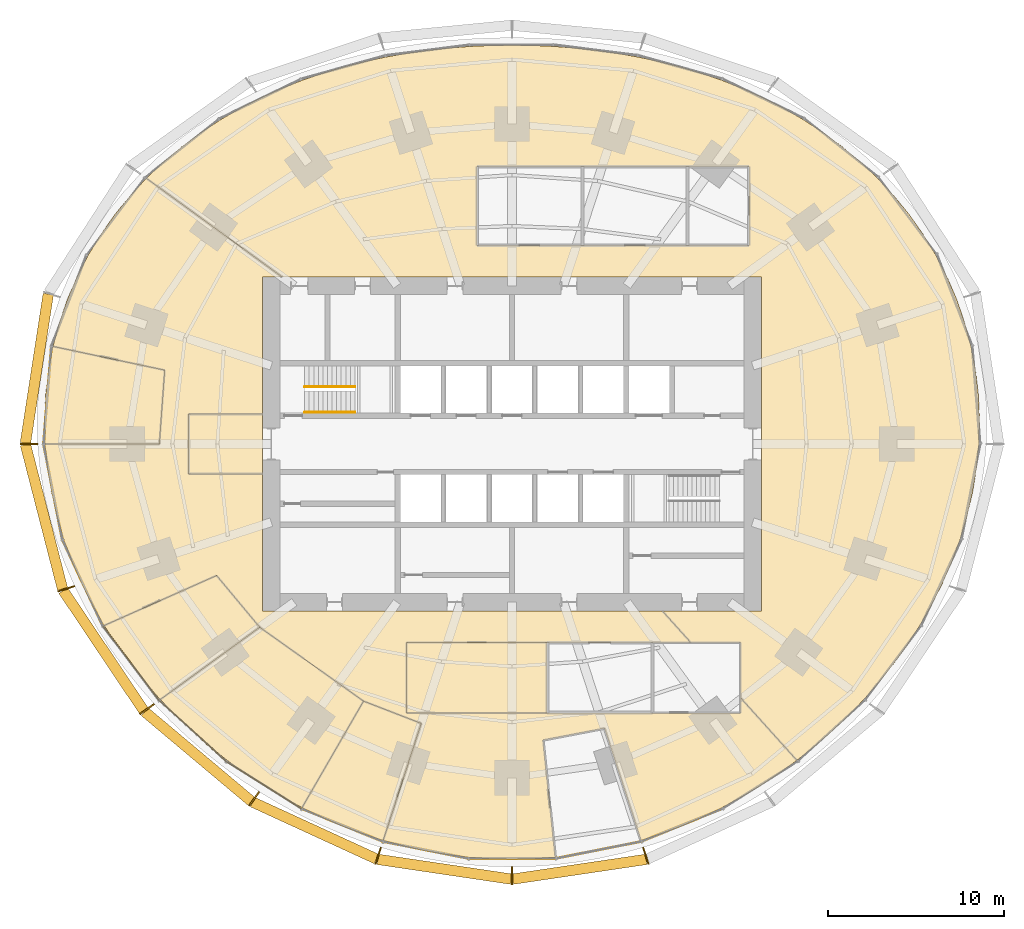
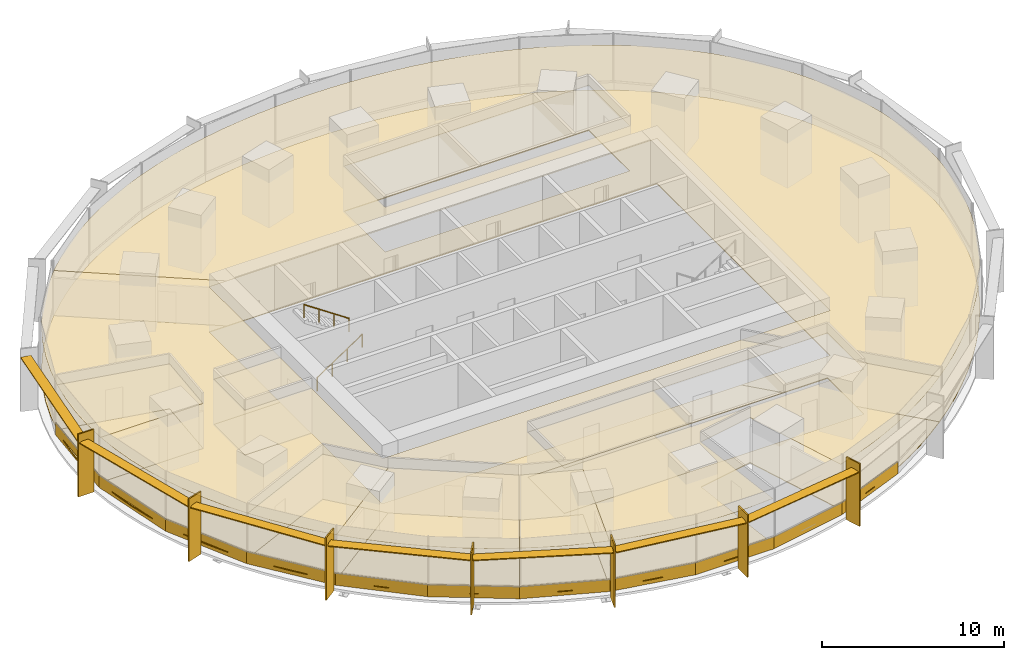
# One storey, part 14 of 15: 27 coverings, 14 shading devices, 2 railings.
"""IFC4 building model written with IfcOpenShell, lengths in metres."""

from ifc_helpers import new_model, si_unit, direction, frame, origin, origin_2d, place, context, subcontext, project, spatial, polyline, rectangle, circle, outline, extrude, material, layer, layer_set, type_object, element, save


model = new_model("IFC4")

# Units and contexts
model_context = context("Model", 3, precision=1e-05, world=origin(), true_north=direction((0.0, 1.0)))
body_context = subcontext(model_context, "Body", "Model", "MODEL_VIEW")
ifc_project = project(units=[si_unit("LENGTHUNIT", "METRE"), si_unit("AREAUNIT", "SQUARE_METRE"), si_unit("VOLUMEUNIT", "CUBIC_METRE"), si_unit("PLANEANGLEUNIT", "RADIAN"), si_unit("MASSUNIT", "GRAM", prefix="KILO")], contexts=[model_context])

# Site, building, storey
site_placement = place(None, origin())
site = spatial("IfcSite", under=ifc_project, at=site_placement, CompositionType="ELEMENT")
building_placement = place(site_placement, origin())
building = spatial("IfcBuilding", under=site, at=building_placement, Name="Marramba Exchange Tower", CompositionType="ELEMENT")
storey_placement = place(building_placement, frame((0.0, 0.0, 61.60009765625)))
storey = spatial("IfcBuildingStorey", under=building, at=storey_placement, Name="L14", CompositionType="ELEMENT", Elevation=61.60009765625)

# Shading devices
ifc_material_1 = material(Name="Aluminium blade, timber-look bronze finish", Category="wood")
ifc_layer_1 = layer(ifc_material_1, 0.080078125)
ifc_layer_set_1 = layer_set([ifc_layer_1], Name="Floor-edge blade 1000x80")
shading_device_type_1 = type_object("IfcShadingDeviceType", Name="Floor-edge blade 1000x80", PredefinedType="USERDEFINED", material=ifc_layer_set_1)
for number, where, z_axis, x_axis, name in (
    (1, (-27.5, 0.0, -0.16015625), (0.0, 0.0, 1.0), (-1.0, 0.0, 0.0), "Floor-edge blade FB1 L14 TC11"),
    (2, (-25.3740234375, -8.24462890625, -0.16015625), (0.0, 0.0, 1.0), (-0.951056516295, -0.309016994375, 0.0), "Floor-edge blade FB1 L14 TC12"),
    (3, (-20.773193359375, -15.092529296875, -0.16015625), (0.0, 0.0, 1.0), (-0.809016994375, -0.587785252292, 0.0), "Floor-edge blade FB1 L14 TC13"),
    (4, (-14.6787109375, -20.20361328125, -0.16015625), (0.0, 0.0, 1.0), (-0.587785252292, -0.809016994375, 0.0), "Floor-edge blade FB1 L14 TC14"),
    (5, (-7.61767578125, -23.444580078125, -0.16015625), (0.0, 0.0, 1.0), (-0.309016994375, -0.951056516295, 0.0), "Floor-edge blade FB1 L14 TC15"),
    (6, (0.0, -24.572021484375, -0.16015625), (0.0, 0.0, 1.0), (0.0, -1.0, 0.0), "Floor-edge blade FB1 L14 TC16"),
    (7, (7.61767578125, -23.444580078125, -0.16015625), (0.0, 0.0, 1.0), (0.309016994375, -0.951056516295, 0.0), "Floor-edge blade FB1 L14 TC17"),
):
    element("IfcShadingDevice", number, at=place(storey_placement, frame(where, z_axis=z_axis, x_axis=x_axis)), inside=storey, type_object=shading_device_type_1, Name=name, ObjectType="FIN", PredefinedType="USERDEFINED", context=body_context, shape_type="SweptSolid", body=[
        extrude(rectangle(XDim=1.0, YDim=0.080078125, at=origin_2d()), origin(), (0.0, 0.0, 1.0), 4.199951171875),
    ])

# Coverings
ifc_material_2 = material(Name="Steel raised access floor panels", Category="steel")
ifc_layer_2 = layer(ifc_material_2, 0.050048828125)
ifc_layer_set_2 = layer_set([ifc_layer_2], Name="Raised access floor 300")
covering_type_1 = type_object("IfcCoveringType", Name="Raised access floor 300", PredefinedType="FLOORING", material=ifc_layer_set_2)
covering_1_placement = place(storey_placement, frame((0.0, 0.0, 0.25)))
element("IfcCovering", 8, at=covering_1_placement, inside=storey, type_object=covering_type_1, Name="Raised access floor RAF1 L14 Fixed Income Trading Floor", PredefinedType="FLOORING", context=body_context, shape_type="SweptSolid", body=[
    extrude(outline(polyline([(14.199951171875, 9.5), (-13.07568359375, 9.5), (-20.810791015625, 15.119873046875), (-19.8251953125, 16.05419921875), (-18.791259765625, 16.919677734375), (-17.71630859375, 17.71630859375), (-16.60693359375, 18.44384765625), (-15.4697265625, 19.103759765625), (-14.31103515625, 19.697509765625), (-13.135986328125, 20.2275390625), (-11.94921875, 20.69677734375), (-10.755126953125, 21.10791015625), (-9.556640625, 21.464599609375), (-8.356689453125, 21.76953125), (-7.15673828125, 22.0263671875), (-5.95849609375, 22.23779296875), (-4.7626953125, 22.406982421875), (-3.5693359375, 22.535888671875), (-2.378173828125, 22.62646484375), (-1.188720703125, 22.68017578125), (0.0, 22.697998046875), (1.188720703125, 22.68017578125), (2.378173828125, 22.62646484375), (3.5693359375, 22.535888671875), (4.7626953125, 22.406982421875), (5.95849609375, 22.23779296875), (7.15673828125, 22.0263671875), (8.356689453125, 21.76953125), (9.556640625, 21.464599609375), (10.755126953125, 21.10791015625), (11.94921875, 20.69677734375), (13.135986328125, 20.2275390625), (14.31103515625, 19.697509765625), (15.4697265625, 19.103759765625), (16.60693359375, 18.44384765625), (17.71630859375, 17.71630859375), (18.791259765625, 16.919677734375), (19.8251953125, 16.05419921875), (20.810791015625, 15.119873046875), (21.740478515625, 14.118408203125), (22.607177734375, 13.05224609375), (23.40380859375, 11.9248046875), (24.12353515625, 10.740478515625), (24.76025390625, 9.50439453125), (25.30859375, 8.22314453125), (25.763916015625, 6.9033203125), (26.123291015625, 5.552734375), (26.3837890625, 4.1787109375), (26.544921875, 2.7900390625), (26.6064453125, 1.394287109375), (26.570068359375, 0.0), (26.43798828125, -1.385498046875), (26.213623046875, -2.755126953125), (25.9013671875, -4.102294921875), (25.50634765625, -5.421630859375), (25.033935546875, -6.707763671875), (24.489501953125, -7.95703125), (23.879150390625, -9.166259765625), (23.208251953125, -10.3330078125), (22.482177734375, -11.455322265625), (21.7060546875, -12.531982421875), (20.88427734375, -13.5625), (20.020751953125, -14.5458984375), (19.119384765625, -15.482421875), (18.1826171875, -16.371826171875), (17.213623046875, -17.213623046875), (16.21435546875, -18.0078125), (13.0, -14.43798828125), (13.0, -11.300048828125), (10.174560546875, -11.300048828125), (8.5537109375, -9.5), (14.199951171875, -9.5), (14.199951171875, 9.5)]), holes=[polyline([(-2.0, 11.300048828125), (4.0, 11.300048828125), (10.0, 11.300048828125), (13.5, 11.300048828125), (13.5, 15.800048828125), (10.0, 15.800048828125), (4.0, 15.800048828125), (-2.0, 15.800048828125), (-2.0, 11.300048828125)])]), origin(), (0.0, 0.0, 1.0), 0.0498046875),
])
covering_2_placement = place(storey_placement, frame((0.0, 0.0, 0.25)))
element("IfcCovering", 9, at=covering_2_placement, inside=storey, type_object=covering_type_1, Name="Raised access floor RAF1 L14 Research Office", PredefinedType="FLOORING", context=body_context, shape_type="SweptSolid", body=[
    extrude(outline(polyline([(-14.199951171875, 1.699951171875), (-18.39990234375, 1.699951171875), (-18.39990234375, -1.699951171875), (-14.199951171875, -1.699951171875), (-14.199951171875, -9.5), (8.5537109375, -9.5), (10.174560546875, -11.300048828125), (8.0, -11.300048828125), (2.0, -11.300048828125), (-6.0, -11.300048828125), (-6.0, -15.300048828125), (2.0, -15.300048828125), (8.0, -15.300048828125), (13.0, -15.300048828125), (13.0, -14.43798828125), (15.483642578125, -17.1962890625), (16.21435546875, -18.0078125), (15.1865234375, -18.75390625), (14.132080078125, -19.451171875), (13.052490234375, -20.09912109375), (11.94921875, -20.69677734375), (10.82373046875, -21.242919921875), (9.677734375, -21.736328125), (8.512451171875, -22.17578125), (7.330078125, -22.56005859375), (5.259765625, -16.18798828125), (1.771728515625, -16.857177734375), (2.47216796875, -23.5205078125), (1.2373046875, -23.611572265625), (0.0, -23.64208984375), (-1.2373046875, -23.611572265625), (-2.47216796875, -23.5205078125), (-3.701416015625, -23.368896484375), (-4.92236328125, -23.15771484375), (-6.1328125, -22.8876953125), (-7.330078125, -22.56005859375), (-5.1669921875, -15.902587890625), (-8.44921875, -14.634521484375), (-14.357666015625, -10.431396484375), (-16.8134765625, -7.48583984375), (-23.208251953125, -10.3330078125), (-23.879150390625, -9.166259765625), (-24.489501953125, -7.95703125), (-25.033935546875, -6.707763671875), (-25.50634765625, -5.421630859375), (-25.9013671875, -4.102294921875), (-26.213623046875, -2.755126953125), (-26.43798828125, -1.385498046875), (-26.570068359375, 0.0), (-20.070068359375, 0.0), (-19.765380859375, 4.201171875), (-26.123291015625, 5.552734375), (-25.763916015625, 6.9033203125), (-25.30859375, 8.22314453125), (-24.76025390625, 9.50439453125), (-24.12353515625, 10.740478515625), (-23.40380859375, 11.9248046875), (-22.607177734375, 13.05224609375), (-21.740478515625, 14.118408203125), (-20.810791015625, 15.119873046875), (-15.08203125, 10.957763671875), (-13.07568359375, 9.5), (-14.199951171875, 9.5), (-14.199951171875, 1.699951171875)])), origin(), (0.0, 0.0, 1.0), 0.0498046875),
])
covering_3_placement = place(storey_placement, frame((0.0, 0.0, 0.25)))
element("IfcCovering", 10, at=covering_3_placement, inside=storey, type_object=covering_type_1, Name="Raised access floor RAF1 L14 Corridor", PredefinedType="FLOORING", context=body_context, shape_type="SweptSolid", body=[
    extrude(outline(polyline([(-18.39990234375, 1.699951171875), (-14.199951171875, 1.699951171875), (-14.199951171875, -1.699951171875), (-18.39990234375, -1.699951171875), (-18.39990234375, 1.699951171875)])), origin(), (0.0, 0.0, 1.0), 0.0498046875),
])
covering_4_placement = place(storey_placement, frame((0.0, 0.0, 0.25)))
element("IfcCovering", 11, at=covering_4_placement, inside=storey, type_object=covering_type_1, Name="Raised access floor RAF1 L14 Head of Desk Office 1", PredefinedType="FLOORING", context=body_context, shape_type="SweptSolid", body=[
    extrude(outline(polyline([(-20.29736328125, -14.230712890625), (-20.88427734375, -13.5625), (-21.7060546875, -12.531982421875), (-22.482177734375, -11.455322265625), (-23.157958984375, -10.41064453125), (-23.208251953125, -10.3330078125), (-16.8134765625, -7.48583984375), (-14.357666015625, -10.431396484375), (-20.020751953125, -14.5458984375), (-20.29736328125, -14.230712890625)])), origin(), (0.0, 0.0, 1.0), 0.0498046875),
])
covering_5_placement = place(storey_placement, frame((0.0, 0.0, 0.25)))
element("IfcCovering", 12, at=covering_5_placement, inside=storey, type_object=covering_type_1, Name="Raised access floor RAF1 L14 Head of Desk Office 2", PredefinedType="FLOORING", context=body_context, shape_type="SweptSolid", body=[
    extrude(outline(polyline([(-13.052490234375, -20.09912109375), (-13.36474609375, -19.911865234375), (-14.132080078125, -19.451171875), (-15.1865234375, -18.75390625), (-15.5078125, -18.5205078125), (-16.21435546875, -18.0078125), (-16.82373046875, -17.5234375), (-17.213623046875, -17.213623046875), (-17.489013671875, -16.97412109375), (-18.1826171875, -16.371826171875), (-19.119384765625, -15.482421875), (-19.80810546875, -14.766845703125), (-20.020751953125, -14.5458984375), (-14.357666015625, -10.431396484375), (-8.44921875, -14.634521484375), (-11.94921875, -20.69677734375), (-13.052490234375, -20.09912109375)])), origin(), (0.0, 0.0, 1.0), 0.0498046875),
])
covering_6_placement = place(storey_placement, frame((0.0, 0.0, 0.25)))
element("IfcCovering", 13, at=covering_6_placement, inside=storey, type_object=covering_type_1, Name="Raised access floor RAF1 L14 Head of Desk Office 3", PredefinedType="FLOORING", context=body_context, shape_type="SweptSolid", body=[
    extrude(outline(polyline([(-8.17431640625, -22.285888671875), (-8.512451171875, -22.17578125), (-9.677734375, -21.736328125), (-10.505859375, -21.3798828125), (-10.82373046875, -21.242919921875), (-11.325927734375, -20.999267578125), (-11.94921875, -20.69677734375), (-8.44921875, -14.634521484375), (-5.1669921875, -15.902587890625), (-7.330078125, -22.56005859375), (-8.17431640625, -22.285888671875)])), origin(), (0.0, 0.0, 1.0), 0.0498046875),
])
covering_7_placement = place(storey_placement, frame((0.0, 0.0, 0.25)))
element("IfcCovering", 14, at=covering_7_placement, inside=storey, type_object=covering_type_1, Name="Raised access floor RAF1 L14 Compliance Office", PredefinedType="FLOORING", context=body_context, shape_type="SweptSolid", body=[
    extrude(outline(polyline([(-26.6064453125, 1.394287109375), (-26.544921875, 2.7900390625), (-26.45703125, 3.54736328125), (-26.3837890625, 4.1787109375), (-26.2470703125, 4.89990234375), (-26.123291015625, 5.552734375), (-19.765380859375, 4.201171875), (-20.070068359375, 0.0), (-26.570068359375, 0.0), (-26.6064453125, 1.394287109375)])), origin(), (0.0, 0.0, 1.0), 0.0498046875),
])
covering_8_placement = place(storey_placement, frame((0.0, 0.0, 0.25)))
element("IfcCovering", 15, at=covering_8_placement, inside=storey, type_object=covering_type_1, Name="Raised access floor RAF1 L14 Pantry", PredefinedType="FLOORING", context=body_context, shape_type="SweptSolid", body=[
    extrude(outline(polyline([(2.0, -15.300048828125), (-6.0, -15.300048828125), (-6.0, -11.300048828125), (2.0, -11.300048828125), (2.0, -15.300048828125)])), origin(), (0.0, 0.0, 1.0), 0.0498046875),
])

# Shading devices
ifc_material_3 = material(Name="Aluminium sunshade, bronze anodised", Category="aluminium")
ifc_layer_3 = layer(ifc_material_3, 0.06005859375)
ifc_layer_set_3 = layer_set([ifc_layer_3], Name="SUNSHADE blade 600x60")
shading_device_type_2 = type_object("IfcShadingDeviceType", Name="SUNSHADE blade 600x60", PredefinedType="USERDEFINED", material=ifc_layer_set_3)
shading_device_1_placement = place(storey_placement, frame((-27.04150390625, 4.2861328125, 3.4599609375), z_axis=(0.0, 0.0, 1.0), x_axis=(-0.151825486228, -0.988407315701, 0.0)))
element("IfcShadingDevice", 16, at=shading_device_1_placement, inside=storey, type_object=shading_device_type_2, Name="Sunshade SS1 L14 bay 10", ObjectType="SUNSHADE", PredefinedType="USERDEFINED", context=body_context, shape_type="SweptSolid", body=[
    extrude(rectangle(XDim=8.593017578125, YDim=0.60009765625, at=origin_2d()), origin(), (0.0, 0.0, 1.0), 0.06005859375),
])
shading_device_2_placement = place(storey_placement, frame((-26.632080078125, -4.153076171875, 3.4599609375), z_axis=(0.0, 0.0, 1.0), x_axis=(0.249024641331, -0.968497149201, 0.0)))
element("IfcShadingDevice", 17, at=shading_device_2_placement, inside=storey, type_object=shading_device_type_2, Name="Sunshade SS1 L14 bay 11", ObjectType="SUNSHADE", PredefinedType="USERDEFINED", context=body_context, shape_type="SweptSolid", body=[
    extrude(rectangle(XDim=8.49658203125, YDim=0.60009765625, at=origin_2d()), origin(), (0.0, 0.0, 1.0), 0.06005859375),
])
shading_device_3_placement = place(storey_placement, frame((-23.24951171875, -11.75830078125, 3.4599609375), z_axis=(0.0, 0.0, 1.0), x_axis=(0.556924164761, -0.830563347798, 0.0)))
element("IfcShadingDevice", 18, at=shading_device_3_placement, inside=storey, type_object=shading_device_type_2, Name="Sunshade SS1 L14 bay 12", ObjectType="SUNSHADE", PredefinedType="USERDEFINED", context=body_context, shape_type="SweptSolid", body=[
    extrude(rectangle(XDim=8.232177734375, YDim=0.60009765625, at=origin_2d()), origin(), (0.0, 0.0, 1.0), 0.06005859375),
])
shading_device_4_placement = place(storey_placement, frame((-17.86572265625, -17.787841796875, 3.4599609375), z_axis=(0.0, 0.0, 1.0), x_axis=(0.765776068523, -0.643107310546, 0.0)))
element("IfcShadingDevice", 19, at=shading_device_4_placement, inside=storey, type_object=shading_device_type_2, Name="Sunshade SS1 L14 bay 13", ObjectType="SUNSHADE", PredefinedType="USERDEFINED", context=body_context, shape_type="SweptSolid", body=[
    extrude(rectangle(XDim=7.936279296875, YDim=0.60009765625, at=origin_2d()), origin(), (0.0, 0.0, 1.0), 0.06005859375),
])
shading_device_5_placement = place(storey_placement, frame((-11.23779296875, -22.0, 3.4599609375), z_axis=(0.0, 0.0, 1.0), x_axis=(0.908703542008, -0.417442059144, 0.0)))
element("IfcShadingDevice", 20, at=shading_device_5_placement, inside=storey, type_object=shading_device_type_2, Name="Sunshade SS1 L14 bay 14", ObjectType="SUNSHADE", PredefinedType="USERDEFINED", context=body_context, shape_type="SweptSolid", body=[
    extrude(rectangle(XDim=7.751953125, YDim=0.60009765625, at=origin_2d()), origin(), (0.0, 0.0, 1.0), 0.06005859375),
])
for number, where, z_axis, x_axis, name in (
    (21, (-3.839599609375, -24.203369140625, 3.4599609375), (0.0, 0.0, 1.0), (0.989212895923, -0.146484970356, 0.0), "Sunshade SS1 L14 bay 15"),
    (22, (3.839599609375, -24.203369140625, 3.4599609375), (0.0, 0.0, 1.0), (0.989212895923, 0.146484970356, 0.0), "Sunshade SS1 L14 bay 16"),
):
    element("IfcShadingDevice", number, at=place(storey_placement, frame(where, z_axis=z_axis, x_axis=x_axis)), inside=storey, type_object=shading_device_type_2, Name=name, ObjectType="SUNSHADE", PredefinedType="USERDEFINED", context=body_context, shape_type="SweptSolid", body=[
        extrude(rectangle(XDim=7.68310546875, YDim=0.60009765625, at=origin_2d()), origin(), (0.0, 0.0, 1.0), 0.06005859375),
    ])

# Coverings
ifc_material_4 = material(Name="Aluminium spandrel panel, bronze anodised, insulated", Category="aluminium")
ifc_layer_4 = layer(ifc_material_4, 0.050048828125)
ifc_layer_set_4 = layer_set([ifc_layer_4], Name="Spandrel panel 800")
covering_type_2 = type_object("IfcCoveringType", Name="Spandrel panel 800", PredefinedType="CLADDING", material=ifc_layer_set_4)
covering_9_placement = place(storey_placement, frame((-26.42578125, 2.78466796875, 0.0), z_axis=(0.0, 0.0, 1.0), x_axis=(-0.080275227657, -0.996772736297, 0.0)))
element("IfcCovering", 23, at=covering_9_placement, inside=storey, type_object=covering_type_2, Name="Spandrel panel SP1 L14 F15", PredefinedType="CLADDING", context=body_context, shape_type="SweptSolid", body=[
    extrude(rectangle(XDim=5.58740234375, YDim=0.050048828125, at=origin_2d()), origin(), (0.0, 0.0, 1.0), 0.800048828125),
])
covering_10_placement = place(storey_placement, frame((-26.117431640625, -2.718994140625, 0.0), z_axis=(0.0, 0.0, 1.0), x_axis=(0.19224858127, -0.981346260501, 0.0)))
element("IfcCovering", 24, at=covering_10_placement, inside=storey, type_object=covering_type_2, Name="Spandrel panel SP1 L14 F16", PredefinedType="CLADDING", context=body_context, shape_type="SweptSolid", body=[
    extrude(rectangle(XDim=5.54150390625, YDim=0.050048828125, at=origin_2d()), origin(), (0.0, 0.0, 1.0), 0.800048828125),
])
covering_11_placement = place(storey_placement, frame((-24.432861328125, -7.90185546875, 0.0), z_axis=(0.0, 0.0, 1.0), x_axis=(0.423477213559, -0.905906755464, 0.0)))
element("IfcCovering", 25, at=covering_11_placement, inside=storey, type_object=covering_type_2, Name="Spandrel panel SP1 L14 F17", PredefinedType="CLADDING", context=body_context, shape_type="SweptSolid", body=[
    extrude(rectangle(XDim=5.439208984375, YDim=0.050048828125, at=origin_2d()), origin(), (0.0, 0.0, 1.0), 0.800048828125),
])
covering_12_placement = place(storey_placement, frame((-21.683349609375, -12.479248046875, 0.0), z_axis=(0.0, 0.0, 1.0), x_axis=(0.603040469481, -0.797710594243, 0.0)))
element("IfcCovering", 26, at=covering_12_placement, inside=storey, type_object=covering_type_2, Name="Spandrel panel SP1 L14 F18", PredefinedType="CLADDING", context=body_context, shape_type="SweptSolid", body=[
    extrude(rectangle(XDim=5.299560546875, YDim=0.050048828125, at=origin_2d()), origin(), (0.0, 0.0, 1.0), 0.800048828125),
])
covering_13_placement = place(storey_placement, frame((-18.1767578125, -16.330078125, 0.0), z_axis=(0.0, 0.0, 1.0), x_axis=(0.739589582203, -0.673058132628, 0.0)))
element("IfcCovering", 27, at=covering_13_placement, inside=storey, type_object=covering_type_2, Name="Spandrel panel SP1 L14 F19", PredefinedType="CLADDING", context=body_context, shape_type="SweptSolid", body=[
    extrude(rectangle(XDim=5.161865234375, YDim=0.050048828125, at=origin_2d()), origin(), (0.0, 0.0, 1.0), 0.800048828125),
])
covering_14_placement = place(storey_placement, frame((-14.128662109375, -19.416748046875, 0.0), z_axis=(0.0, 0.0, 1.0), x_axis=(0.845790829799, -0.533514641062, 0.0)))
element("IfcCovering", 28, at=covering_14_placement, inside=storey, type_object=covering_type_2, Name="Spandrel panel SP1 L14 F20", PredefinedType="CLADDING", context=body_context, shape_type="SweptSolid", body=[
    extrude(rectangle(XDim=5.05859375, YDim=0.050048828125, at=origin_2d()), origin(), (0.0, 0.0, 1.0), 0.800048828125),
])
covering_15_placement = place(storey_placement, frame((-9.672119140625, -21.701171875, 0.0), z_axis=(0.0, 0.0, 1.0), x_axis=(0.927340675001, -0.374218215069, 0.0)))
element("IfcCovering", 29, at=covering_15_placement, inside=storey, type_object=covering_type_2, Name="Spandrel panel SP1 L14 F21", PredefinedType="CLADDING", context=body_context, shape_type="SweptSolid", body=[
    extrude(rectangle(XDim=4.99755859375, YDim=0.050048828125, at=origin_2d()), origin(), (0.0, 0.0, 1.0), 0.800048828125),
])
covering_16_placement = place(storey_placement, frame((-4.917724609375, -23.1181640625, 0.0), z_axis=(0.0, 0.0, 1.0), x_axis=(0.981009201842, -0.193961196898, 0.0)))
element("IfcCovering", 30, at=covering_16_placement, inside=storey, type_object=covering_type_2, Name="Spandrel panel SP1 L14 F22", PredefinedType="CLADDING", context=body_context, shape_type="SweptSolid", body=[
    extrude(rectangle(XDim=4.96875, YDim=0.050048828125, at=origin_2d()), origin(), (0.0, 0.0, 1.0), 0.800048828125),
])
covering_17_placement = place(storey_placement, frame((0.0, -23.599853515625, 0.0), z_axis=(0.0, 0.0, 1.0), x_axis=(1.0, 0.0, 0.0)))
element("IfcCovering", 31, at=covering_17_placement, inside=storey, type_object=covering_type_2, Name="Spandrel panel SP1 L14 F23", PredefinedType="CLADDING", context=body_context, shape_type="SweptSolid", body=[
    extrude(rectangle(XDim=4.9609375, YDim=0.050048828125, at=origin_2d()), origin(), (0.0, 0.0, 1.0), 0.800048828125),
])
covering_18_placement = place(storey_placement, frame((4.917724609375, -23.1181640625, 0.0), z_axis=(0.0, 0.0, 1.0), x_axis=(0.981009201842, 0.193961196898, 0.0)))
element("IfcCovering", 32, at=covering_18_placement, inside=storey, type_object=covering_type_2, Name="Spandrel panel SP1 L14 F24", PredefinedType="CLADDING", context=body_context, shape_type="SweptSolid", body=[
    extrude(rectangle(XDim=4.96875, YDim=0.050048828125, at=origin_2d()), origin(), (0.0, 0.0, 1.0), 0.800048828125),
])
covering_19_placement = place(storey_placement, frame((9.672119140625, -21.701171875, 0.0), z_axis=(0.0, 0.0, 1.0), x_axis=(0.927340675001, 0.374218215069, 0.0)))
element("IfcCovering", 33, at=covering_19_placement, inside=storey, type_object=covering_type_2, Name="Spandrel panel SP1 L14 F25", PredefinedType="CLADDING", context=body_context, shape_type="SweptSolid", body=[
    extrude(rectangle(XDim=4.99755859375, YDim=0.050048828125, at=origin_2d()), origin(), (0.0, 0.0, 1.0), 0.800048828125),
])

# Railings
ifc_material_5 = material(Name="Stainless steel handrail", Category="steel")
railing_type = type_object("IfcRailingType", Name="Stair handrail 900", PredefinedType="HANDRAIL", material=ifc_material_5)
railing_1_placement = place(storey_placement, frame((-11.800048828125, 1.800048828125, 0.1748046875)))
element("IfcRailing", 34, at=railing_1_placement, inside=storey, type_object=railing_type, Name="Handrail HR1 ST1 L14 flight 1", PredefinedType="HANDRAIL", context=body_context, shape_type="SweptSolid", body=[
    extrude(circle(Radius=0.02392578125, at=origin_2d()), frame((0.0, 0.0, 0.8759765625), z_axis=(0.829590901723, 0.0, 0.558371682465), x_axis=(0.0, 1.0, 0.0)), (0.0, 0.0, 1.0), 3.447509765625),
    extrude(circle(Radius=0.02099609375, at=origin_2d()), origin(), (0.0, 0.0, 1.0), 0.851806640625),
    extrude(circle(Radius=0.02099609375, at=origin_2d()), frame((0.953369140625, 0.0, 0.6416015625)), (0.0, 0.0, 1.0), 0.851806640625),
    extrude(circle(Radius=0.02099609375, at=origin_2d()), frame((1.90673828125, 0.0, 1.283447265625)), (0.0, 0.0, 1.0), 0.851806640625),
    extrude(circle(Radius=0.02099609375, at=origin_2d()), frame((2.860107421875, 0.0, 1.925048828125)), (0.0, 0.0, 1.0), 0.851806640625),
])
railing_2_placement = place(storey_placement, frame((-8.93994140625, 3.25, 2.27490234375)))
element("IfcRailing", 35, at=railing_2_placement, inside=storey, type_object=railing_type, Name="Handrail HR1 ST1 L14 flight 2", PredefinedType="HANDRAIL", context=body_context, shape_type="SweptSolid", body=[
    extrude(circle(Radius=0.02392578125, at=origin_2d()), frame((0.0, 0.0, 0.8759765625), z_axis=(-0.829590901723, 0.0, 0.558371682465), x_axis=(0.0, -1.0, 0.0)), (0.0, 0.0, 1.0), 3.447509765625),
    extrude(circle(Radius=0.02099609375, at=origin_2d()), origin(), (0.0, 0.0, 1.0), 0.851806640625),
    extrude(circle(Radius=0.02099609375, at=origin_2d()), frame((-0.953369140625, 0.0, 0.6416015625)), (0.0, 0.0, 1.0), 0.851806640625),
    extrude(circle(Radius=0.02099609375, at=origin_2d()), frame((-1.90673828125, 0.0, 1.283447265625)), (0.0, 0.0, 1.0), 0.851806640625),
    extrude(circle(Radius=0.02099609375, at=origin_2d()), frame((-2.860107421875, 0.0, 1.925048828125)), (0.0, 0.0, 1.0), 0.851806640625),
])

# Coverings
ifc_material_6 = material(Name="Mineral fibre ceiling tiles", Category="gypsum")
ifc_layer_5 = layer(ifc_material_6, 0.02001953125)
ifc_layer_set_5 = layer_set([ifc_layer_5], Name="Suspended ceiling 20")
covering_type_3 = type_object("IfcCoveringType", Name="Suspended ceiling 20", PredefinedType="CEILING", material=ifc_layer_set_5)
covering_20_placement = place(storey_placement, frame((0.0, 0.0, 3.2998046875)))
element("IfcCovering", 36, at=covering_20_placement, inside=storey, type_object=covering_type_3, Name="Ceiling CL1 L14 Fixed Income Trading Floor", PredefinedType="CEILING", context=body_context, shape_type="SweptSolid", body=[
    extrude(outline(polyline([(14.199951171875, 9.5), (-13.07568359375, 9.5), (-20.810791015625, 15.119873046875), (-19.8251953125, 16.05419921875), (-18.791259765625, 16.919677734375), (-17.71630859375, 17.71630859375), (-16.60693359375, 18.44384765625), (-15.4697265625, 19.103759765625), (-14.31103515625, 19.697509765625), (-13.135986328125, 20.2275390625), (-11.94921875, 20.69677734375), (-10.755126953125, 21.10791015625), (-9.556640625, 21.464599609375), (-8.356689453125, 21.76953125), (-7.15673828125, 22.0263671875), (-5.95849609375, 22.23779296875), (-4.7626953125, 22.406982421875), (-3.5693359375, 22.535888671875), (-2.378173828125, 22.62646484375), (-1.188720703125, 22.68017578125), (0.0, 22.697998046875), (1.188720703125, 22.68017578125), (2.378173828125, 22.62646484375), (3.5693359375, 22.535888671875), (4.7626953125, 22.406982421875), (5.95849609375, 22.23779296875), (7.15673828125, 22.0263671875), (8.356689453125, 21.76953125), (9.556640625, 21.464599609375), (10.755126953125, 21.10791015625), (11.94921875, 20.69677734375), (13.135986328125, 20.2275390625), (14.31103515625, 19.697509765625), (15.4697265625, 19.103759765625), (16.60693359375, 18.44384765625), (17.71630859375, 17.71630859375), (18.791259765625, 16.919677734375), (19.8251953125, 16.05419921875), (20.810791015625, 15.119873046875), (21.740478515625, 14.118408203125), (22.607177734375, 13.05224609375), (23.40380859375, 11.9248046875), (24.12353515625, 10.740478515625), (24.76025390625, 9.50439453125), (25.30859375, 8.22314453125), (25.763916015625, 6.9033203125), (26.123291015625, 5.552734375), (26.3837890625, 4.1787109375), (26.544921875, 2.7900390625), (26.6064453125, 1.394287109375), (26.570068359375, 0.0), (26.43798828125, -1.385498046875), (26.213623046875, -2.755126953125), (25.9013671875, -4.102294921875), (25.50634765625, -5.421630859375), (25.033935546875, -6.707763671875), (24.489501953125, -7.95703125), (23.879150390625, -9.166259765625), (23.208251953125, -10.3330078125), (22.482177734375, -11.455322265625), (21.7060546875, -12.531982421875), (20.88427734375, -13.5625), (20.020751953125, -14.5458984375), (19.119384765625, -15.482421875), (18.1826171875, -16.371826171875), (17.213623046875, -17.213623046875), (16.21435546875, -18.0078125), (13.0, -14.43798828125), (13.0, -11.300048828125), (10.174560546875, -11.300048828125), (8.5537109375, -9.5), (14.199951171875, -9.5), (14.199951171875, 9.5)]), holes=[polyline([(-2.0, 11.300048828125), (4.0, 11.300048828125), (10.0, 11.300048828125), (13.5, 11.300048828125), (13.5, 15.800048828125), (10.0, 15.800048828125), (4.0, 15.800048828125), (-2.0, 15.800048828125), (-2.0, 11.300048828125)])]), origin(), (0.0, 0.0, 1.0), 0.02001953125),
])
covering_21_placement = place(storey_placement, frame((0.0, 0.0, 3.2998046875)))
element("IfcCovering", 37, at=covering_21_placement, inside=storey, type_object=covering_type_3, Name="Ceiling CL1 L14 Research Office", PredefinedType="CEILING", context=body_context, shape_type="SweptSolid", body=[
    extrude(outline(polyline([(-14.199951171875, 1.699951171875), (-18.39990234375, 1.699951171875), (-18.39990234375, -1.699951171875), (-14.199951171875, -1.699951171875), (-14.199951171875, -9.5), (8.5537109375, -9.5), (10.174560546875, -11.300048828125), (8.0, -11.300048828125), (2.0, -11.300048828125), (-6.0, -11.300048828125), (-6.0, -15.300048828125), (2.0, -15.300048828125), (8.0, -15.300048828125), (13.0, -15.300048828125), (13.0, -14.43798828125), (15.483642578125, -17.1962890625), (16.21435546875, -18.0078125), (15.1865234375, -18.75390625), (14.132080078125, -19.451171875), (13.052490234375, -20.09912109375), (11.94921875, -20.69677734375), (10.82373046875, -21.242919921875), (9.677734375, -21.736328125), (8.512451171875, -22.17578125), (7.330078125, -22.56005859375), (5.259765625, -16.18798828125), (1.771728515625, -16.857177734375), (2.47216796875, -23.5205078125), (1.2373046875, -23.611572265625), (0.0, -23.64208984375), (-1.2373046875, -23.611572265625), (-2.47216796875, -23.5205078125), (-3.701416015625, -23.368896484375), (-4.92236328125, -23.15771484375), (-6.1328125, -22.8876953125), (-7.330078125, -22.56005859375), (-5.1669921875, -15.902587890625), (-8.44921875, -14.634521484375), (-14.357666015625, -10.431396484375), (-16.8134765625, -7.48583984375), (-23.208251953125, -10.3330078125), (-23.879150390625, -9.166259765625), (-24.489501953125, -7.95703125), (-25.033935546875, -6.707763671875), (-25.50634765625, -5.421630859375), (-25.9013671875, -4.102294921875), (-26.213623046875, -2.755126953125), (-26.43798828125, -1.385498046875), (-26.570068359375, 0.0), (-20.070068359375, 0.0), (-19.765380859375, 4.201171875), (-26.123291015625, 5.552734375), (-25.763916015625, 6.9033203125), (-25.30859375, 8.22314453125), (-24.76025390625, 9.50439453125), (-24.12353515625, 10.740478515625), (-23.40380859375, 11.9248046875), (-22.607177734375, 13.05224609375), (-21.740478515625, 14.118408203125), (-20.810791015625, 15.119873046875), (-15.08203125, 10.957763671875), (-13.07568359375, 9.5), (-14.199951171875, 9.5), (-14.199951171875, 1.699951171875)])), origin(), (0.0, 0.0, 1.0), 0.02001953125),
])
covering_22_placement = place(storey_placement, frame((0.0, 0.0, 3.2998046875)))
element("IfcCovering", 38, at=covering_22_placement, inside=storey, type_object=covering_type_3, Name="Ceiling CL1 L14 Corridor", PredefinedType="CEILING", context=body_context, shape_type="SweptSolid", body=[
    extrude(outline(polyline([(-18.39990234375, 1.699951171875), (-14.199951171875, 1.699951171875), (-14.199951171875, -1.699951171875), (-18.39990234375, -1.699951171875), (-18.39990234375, 1.699951171875)])), origin(), (0.0, 0.0, 1.0), 0.02001953125),
])
covering_23_placement = place(storey_placement, frame((0.0, 0.0, 3.2998046875)))
element("IfcCovering", 39, at=covering_23_placement, inside=storey, type_object=covering_type_3, Name="Ceiling CL1 L14 Head of Desk Office 1", PredefinedType="CEILING", context=body_context, shape_type="SweptSolid", body=[
    extrude(outline(polyline([(-20.29736328125, -14.230712890625), (-20.88427734375, -13.5625), (-21.7060546875, -12.531982421875), (-22.482177734375, -11.455322265625), (-23.157958984375, -10.41064453125), (-23.208251953125, -10.3330078125), (-16.8134765625, -7.48583984375), (-14.357666015625, -10.431396484375), (-20.020751953125, -14.5458984375), (-20.29736328125, -14.230712890625)])), origin(), (0.0, 0.0, 1.0), 0.02001953125),
])
covering_24_placement = place(storey_placement, frame((0.0, 0.0, 3.2998046875)))
element("IfcCovering", 40, at=covering_24_placement, inside=storey, type_object=covering_type_3, Name="Ceiling CL1 L14 Head of Desk Office 2", PredefinedType="CEILING", context=body_context, shape_type="SweptSolid", body=[
    extrude(outline(polyline([(-13.052490234375, -20.09912109375), (-13.36474609375, -19.911865234375), (-14.132080078125, -19.451171875), (-15.1865234375, -18.75390625), (-15.5078125, -18.5205078125), (-16.21435546875, -18.0078125), (-16.82373046875, -17.5234375), (-17.213623046875, -17.213623046875), (-17.489013671875, -16.97412109375), (-18.1826171875, -16.371826171875), (-19.119384765625, -15.482421875), (-19.80810546875, -14.766845703125), (-20.020751953125, -14.5458984375), (-14.357666015625, -10.431396484375), (-8.44921875, -14.634521484375), (-11.94921875, -20.69677734375), (-13.052490234375, -20.09912109375)])), origin(), (0.0, 0.0, 1.0), 0.02001953125),
])
covering_25_placement = place(storey_placement, frame((0.0, 0.0, 3.2998046875)))
element("IfcCovering", 41, at=covering_25_placement, inside=storey, type_object=covering_type_3, Name="Ceiling CL1 L14 Head of Desk Office 3", PredefinedType="CEILING", context=body_context, shape_type="SweptSolid", body=[
    extrude(outline(polyline([(-8.17431640625, -22.285888671875), (-8.512451171875, -22.17578125), (-9.677734375, -21.736328125), (-10.505859375, -21.3798828125), (-10.82373046875, -21.242919921875), (-11.325927734375, -20.999267578125), (-11.94921875, -20.69677734375), (-8.44921875, -14.634521484375), (-5.1669921875, -15.902587890625), (-7.330078125, -22.56005859375), (-8.17431640625, -22.285888671875)])), origin(), (0.0, 0.0, 1.0), 0.02001953125),
])
covering_26_placement = place(storey_placement, frame((0.0, 0.0, 3.2998046875)))
element("IfcCovering", 42, at=covering_26_placement, inside=storey, type_object=covering_type_3, Name="Ceiling CL1 L14 Compliance Office", PredefinedType="CEILING", context=body_context, shape_type="SweptSolid", body=[
    extrude(outline(polyline([(-26.6064453125, 1.394287109375), (-26.544921875, 2.7900390625), (-26.45703125, 3.54736328125), (-26.3837890625, 4.1787109375), (-26.2470703125, 4.89990234375), (-26.123291015625, 5.552734375), (-19.765380859375, 4.201171875), (-20.070068359375, 0.0), (-26.570068359375, 0.0), (-26.6064453125, 1.394287109375)])), origin(), (0.0, 0.0, 1.0), 0.02001953125),
])
covering_27_placement = place(storey_placement, frame((0.0, 0.0, 3.2998046875)))
element("IfcCovering", 43, at=covering_27_placement, inside=storey, type_object=covering_type_3, Name="Ceiling CL1 L14 Pantry", PredefinedType="CEILING", context=body_context, shape_type="SweptSolid", body=[
    extrude(outline(polyline([(2.0, -15.300048828125), (-6.0, -15.300048828125), (-6.0, -11.300048828125), (2.0, -11.300048828125), (2.0, -15.300048828125)])), origin(), (0.0, 0.0, 1.0), 0.02001953125),
])

save(model, "model.ifc")
